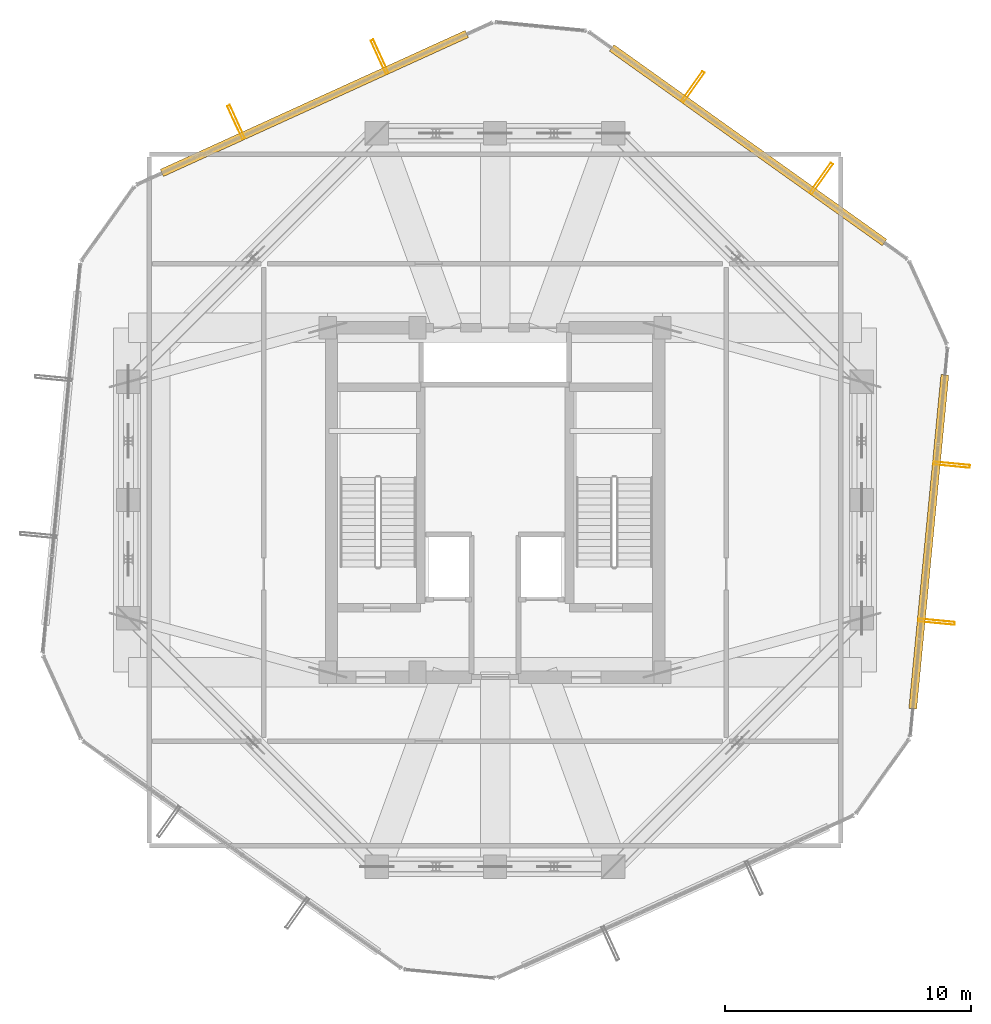
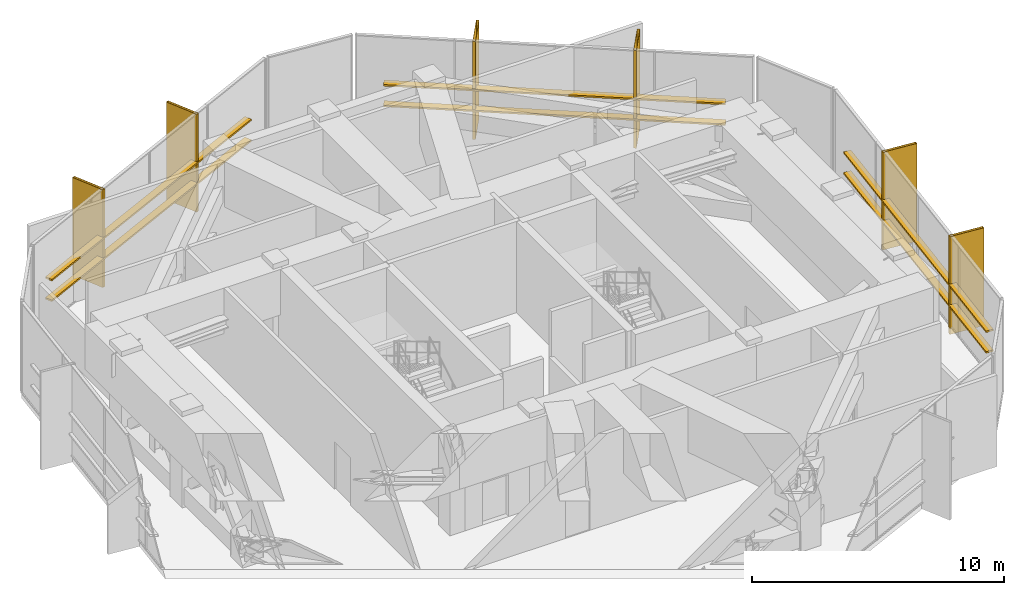
# One storey, part 31 of 31: 12 shading devices.
"""IFC4 building model written with IfcOpenShell, lengths in metres."""

from ifc_helpers import new_model, si_unit, direction, frame, origin, origin_2d, place, context, subcontext, project, spatial, hollow_rectangle, extrude, material, material_profile, profile_set, type_object, element, save


model = new_model("IFC4")

# Units and contexts
model_context = context("Model", 3, precision=1e-05, world=origin(), true_north=direction((0.0, 1.0)))
body_context = subcontext(model_context, "Body", "Model", "MODEL_VIEW")
ifc_project = project(units=[si_unit("LENGTHUNIT", "METRE"), si_unit("AREAUNIT", "SQUARE_METRE"), si_unit("VOLUMEUNIT", "CUBIC_METRE"), si_unit("PLANEANGLEUNIT", "RADIAN"), si_unit("MASSUNIT", "GRAM", prefix="KILO")], contexts=[model_context])

# Site, building, storey
site_placement = place(None, origin())
site = spatial("IfcSite", under=ifc_project, at=site_placement, CompositionType="ELEMENT")
building_placement = place(site_placement, origin())
building = spatial("IfcBuilding", under=site, at=building_placement, Name="Veraguas Prism Commons", CompositionType="ELEMENT")
storey_placement = place(building_placement, frame((0.0, 0.0, 225.39990234375)))
storey = spatial("IfcBuildingStorey", under=building, at=storey_placement, Name="L64", CompositionType="ELEMENT", Elevation=225.39990234375)

# Shading devices
ifc_material = material(Name="Anodised aluminium EN AW-6063 T6", Category="aluminium")
ifc_material_profile_1 = material_profile(ifc_material, hollow_rectangle(XDim=0.1201171875, YDim=1.489990234375, WallThickness=0.006103515625, at=origin_2d()), Name="FIN120X1490X6")
ifc_profile_set_1 = profile_set([ifc_material_profile_1], Name="Anodised aluminium EN AW-6063 T6")
shading_device_type_1 = type_object("IfcShadingDeviceType", Name="Deep Pale-Metal Vertical Solar Fin 120x1490", PredefinedType="USERDEFINED", material=ifc_profile_set_1)
for number, where, z_axis, x_axis, name in (
    (1, (37.256103515625, 37.066162109375, -0.2998046875), (0.0, 0.0, 1.0), (-0.814114504837, 0.58070437661, 0.0), "Vertical Pale-Metal Solar Fin L64-F1A"),
    (2, (32.03857421875, 40.787841796875, -0.2998046875), (0.0, 0.0, 1.0), (-0.814114504837, 0.58070437661, 0.0), "Vertical Pale-Metal Solar Fin L64-F1B"),
    (3, (19.3125, 42.01318359375, -0.2998046875), (0.0, 0.0, 1.0), (-0.909961270877, -0.414693242656, 0.0), "Vertical Pale-Metal Solar Fin L64-F2A"),
    (4, (13.480712890625, 39.35546875, -0.2998046875), (0.0, 0.0, 1.0), (-0.909961270877, -0.414693242656, 0.0), "Vertical Pale-Metal Solar Fin L64-F2B"),
    (5, (41.943603515625, 19.052978515625, -0.2998046875), (0.0, 0.0, 1.0), (0.095847489814, 0.995396031083, 0.0), "Vertical Pale-Metal Solar Fin L64-F6A"),
    (6, (42.557861328125, 25.432373046875, -0.2998046875), (0.0, 0.0, 1.0), (0.095847489814, 0.995396031083, 0.0), "Vertical Pale-Metal Solar Fin L64-F6B"),
):
    element("IfcShadingDevice", number, at=place(storey_placement, frame(where, z_axis=z_axis, x_axis=x_axis)), inside=storey, type_object=shading_device_type_1, Name=name, ObjectType="FIN", PredefinedType="USERDEFINED", context=body_context, shape_type="SweptSolid", body=[
        extrude(hollow_rectangle(XDim=0.1201171875, YDim=1.489990234375, WallThickness=0.006103515625, at=origin_2d()), origin(), (0.0, 0.0, 1.0), 4.73486328125),
    ])
ifc_material_profile_2 = material_profile(ifc_material, hollow_rectangle(XDim=0.080078125, YDim=0.320068359375, WallThickness=0.00390625, at=origin_2d()), Name="LVR80X320X4")
ifc_profile_set_2 = profile_set([ifc_material_profile_2], Name="Anodised aluminium EN AW-6063 T6")
shading_device_type_2 = type_object("IfcShadingDeviceType", Name="Plant Room Acoustic Weather Louvre 80x320", PredefinedType="JALOUSIE", material=ifc_profile_set_2)
for number, where, z_axis, x_axis, name in (
    (7, (39.82958984375, 34.462890625, 1.10009765625), (-0.814115949636, 0.580702351079, 0.0), (0.0, 0.0, 1.0), "Plant Acoustic Weather Louvre L64-F1A"),
    (8, (39.82958984375, 34.462890625, 2.10009765625), (-0.814115949636, 0.580702351079, 0.0), (0.0, 0.0, 1.0), "Plant Acoustic Weather Louvre L64-F1B"),
):
    element("IfcShadingDevice", number, at=place(storey_placement, frame(where, z_axis=z_axis, x_axis=x_axis)), inside=storey, type_object=shading_device_type_2, Name=name, PredefinedType="JALOUSIE", context=body_context, shape_type="SweptSolid", body=[
        extrude(hollow_rectangle(XDim=0.080078125, YDim=0.320068359375, WallThickness=0.00390625, at=origin_2d()), origin(), (0.0, 0.0, 1.0), 13.62255859375),
    ])
for number, where, z_axis, x_axis, name in (
    (9, (22.853515625, 42.940185546875, 1.10009765625), (-0.909958492432, -0.414699339342, 0.0), (0.0, 0.0, 1.0), "Plant Acoustic Weather Louvre L64-F2A"),
    (10, (22.853515625, 42.940185546875, 2.10009765625), (-0.909958492432, -0.414699339342, 0.0), (0.0, 0.0, 1.0), "Plant Acoustic Weather Louvre L64-F2B"),
):
    element("IfcShadingDevice", number, at=place(storey_placement, frame(where, z_axis=z_axis, x_axis=x_axis)), inside=storey, type_object=shading_device_type_2, Name=name, PredefinedType="JALOUSIE", context=body_context, shape_type="SweptSolid", body=[
        extrude(hollow_rectangle(XDim=0.080078125, YDim=0.320068359375, WallThickness=0.00390625, at=origin_2d()), origin(), (0.0, 0.0, 1.0), 13.622314453125),
    ])
for number, where, z_axis, x_axis, name in (
    (11, (40.975830078125, 15.522705078125, 1.10009765625), (0.095845929632, 0.995396181313, 0.0), (0.0, 0.0, 1.0), "Plant Acoustic Weather Louvre L64-F6A"),
    (12, (40.975830078125, 15.522705078125, 2.10009765625), (0.095845929632, 0.995396181313, 0.0), (0.0, 0.0, 1.0), "Plant Acoustic Weather Louvre L64-F6B"),
):
    element("IfcShadingDevice", number, at=place(storey_placement, frame(where, z_axis=z_axis, x_axis=x_axis)), inside=storey, type_object=shading_device_type_2, Name=name, PredefinedType="JALOUSIE", context=body_context, shape_type="SweptSolid", body=[
        extrude(hollow_rectangle(XDim=0.080078125, YDim=0.320068359375, WallThickness=0.00390625, at=origin_2d()), origin(), (0.0, 0.0, 1.0), 13.62255859375),
    ])

save(model, "model.ifc")
